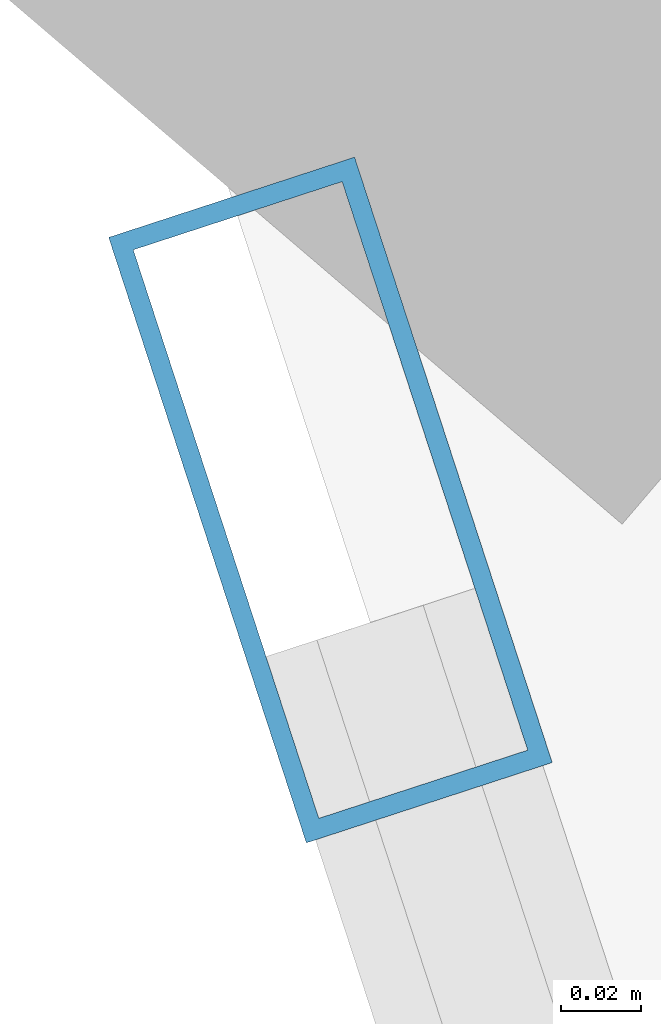
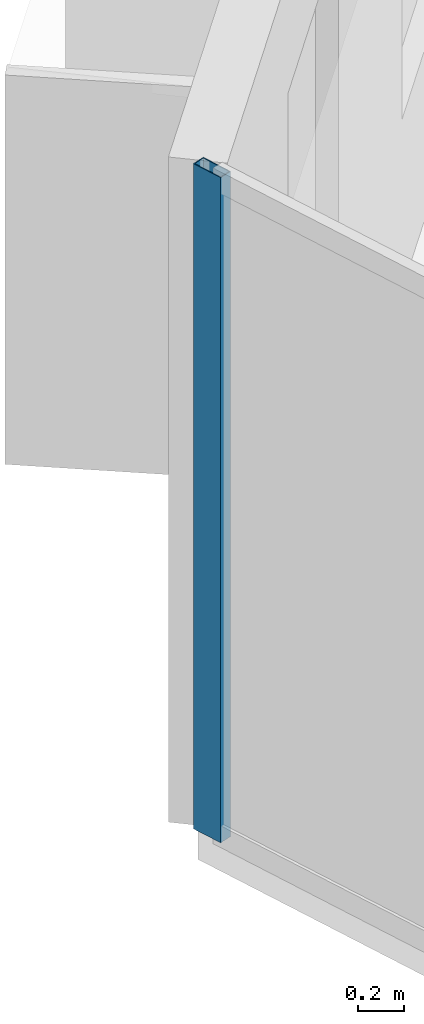
# One storey, part 10 of 24: 1 member, 1 element without a shape of its own.
"""IFC4 building model written with IfcOpenShell, lengths in metres."""

from ifc_helpers import new_model, si_unit, direction, frame, origin, origin_2d, place, context, subcontext, project, spatial, hollow_rectangle, extrude, material, layer, layer_set, material_profile, profile_set, type_object, element, aggregate, save


model = new_model("IFC4")

# Units and contexts
model_context = context("Model", 3, precision=1e-05, world=origin(), true_north=direction((0.0, 1.0)))
body_context = subcontext(model_context, "Body", "Model", "MODEL_VIEW")
ifc_project = project(units=[si_unit("LENGTHUNIT", "METRE"), si_unit("AREAUNIT", "SQUARE_METRE"), si_unit("VOLUMEUNIT", "CUBIC_METRE"), si_unit("PLANEANGLEUNIT", "RADIAN"), si_unit("MASSUNIT", "GRAM", prefix="KILO")], contexts=[model_context])

# Site, building, storey
site_placement = place(None, origin())
site = spatial("IfcSite", under=ifc_project, at=site_placement, CompositionType="ELEMENT")
building_placement = place(site_placement, origin())
building = spatial("IfcBuilding", under=site, at=building_placement, Name="Qianvela Tower", CompositionType="ELEMENT")
storey_placement = place(building_placement, frame((0.0, 0.0, 222.5)))
storey = spatial("IfcBuildingStorey", under=building, at=storey_placement, Name="L57", CompositionType="ELEMENT", Elevation=222.5)

# Curtain wall, member
ifc_material_1 = material(Name="Anodised Architectural Aluminium and Low-E Glass", Category="aluminium")
ifc_layer = layer(ifc_material_1, 0.159912109375)
ifc_layer_set = layer_set([ifc_layer], Name="Anodised Architectural Aluminium and Low-E Glass")
curtain_wall_type = type_object("IfcCurtainWallType", Name="CW-COLIV-Z56", PredefinedType="USERDEFINED", material=ifc_layer_set)
curtain_wall_placement = place(storey_placement, origin())
curtain_wall = element("IfcCurtainWall", 1, at=curtain_wall_placement, inside=storey, type_object=curtain_wall_type, Name="L57 CW-COLIV-Z56 Curtain Wall 04A", ObjectType="CURTAIN_WALL_SYSTEM", PredefinedType="USERDEFINED")
ifc_material_2 = material(Name="Anodised Architectural Aluminium 6063-T6", Category="aluminium")
ifc_material_profile = material_profile(ifc_material_2, hollow_rectangle(XDim=0.06494140625, YDim=0.159912109375, WallThickness=0.0048828125, at=origin_2d()), Name="ALU-MULL-65x160")
ifc_profile_set = profile_set([ifc_material_profile], Name="Anodised Architectural Aluminium 6063-T6")
member_type = type_object("IfcMemberType", Name="CW-COLIV-Z56-MULL", PredefinedType="MULLION", material=ifc_profile_set)
member_placement = place(storey_placement, frame((19.258544921875, 33.8994140625, 0.0), z_axis=(0.0, 0.0, 1.0), x_axis=(0.950625222595, 0.310341241486, 0.0)))
member = element("IfcMember", 2, at=member_placement, type_object=member_type, Name="CW-5 mullion 1", PredefinedType="MULLION", context=body_context, shape_type="SweptSolid", body=[
    extrude(hollow_rectangle(XDim=0.06494140625, YDim=0.159912109375, WallThickness=0.0048828125, at=origin_2d()), origin(), (0.0, 0.0, 1.0), 3.52001953125),
])
aggregate(curtain_wall, [member])

save(model, "model.ifc")
